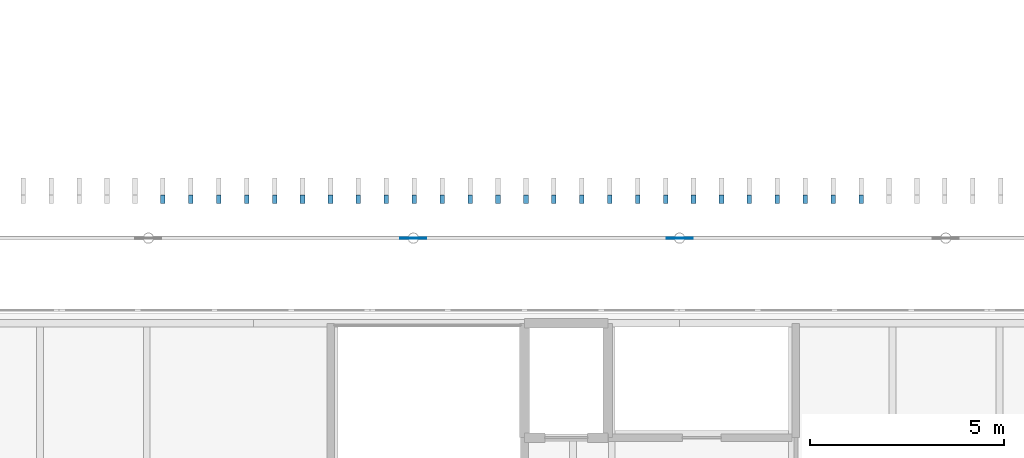
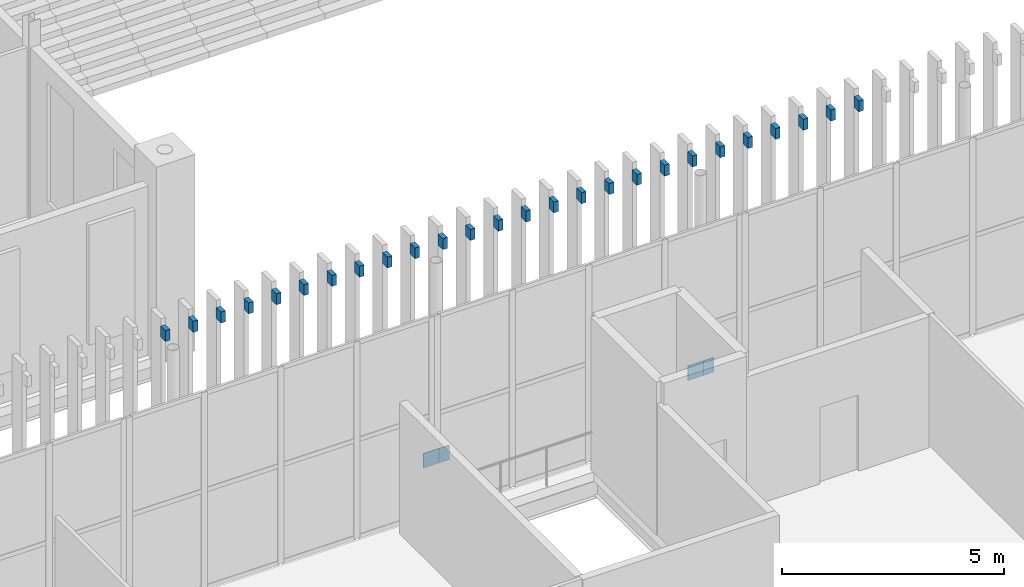
# One storey, part 146 of 170: 30 discrete accessories.
"""IFC4 building model written with IfcOpenShell, lengths in metres."""

from ifc_helpers import new_model, si_unit, direction, frame, origin, origin_2d, place, context, subcontext, project, spatial, rectangle, extrude, material, material_profile, profile_set, type_object, element, save


model = new_model("IFC4")

# Units and contexts
model_context = context("Model", 3, precision=1e-05, world=origin(), true_north=direction((0.0, 1.0)))
body_context = subcontext(model_context, "Body", "Model", "MODEL_VIEW")
ifc_project = project(units=[si_unit("LENGTHUNIT", "METRE"), si_unit("AREAUNIT", "SQUARE_METRE"), si_unit("VOLUMEUNIT", "CUBIC_METRE"), si_unit("PLANEANGLEUNIT", "RADIAN"), si_unit("MASSUNIT", "GRAM", prefix="KILO")], contexts=[model_context])

# Site, building, storey
site_placement = place(None, origin())
site = spatial("IfcSite", under=ifc_project, at=site_placement, CompositionType="ELEMENT")
building_placement = place(site_placement, origin())
building = spatial("IfcBuilding", under=site, at=building_placement, Name="Ravi Spectrum Wholesale Market", CompositionType="ELEMENT")
storey_placement = place(building_placement, frame((0.0, 0.0, 5.39990234375)))
storey = spatial("IfcBuildingStorey", under=building, at=storey_placement, Name="L01", CompositionType="ELEMENT", Elevation=5.39990234375)

# Discrete accessories
ifc_material_1 = material(Name="Steel S355", Category="steel")
discrete_accessory_type_1 = type_object("IfcDiscreteAccessoryType", Name="Fin bracket 120", PredefinedType="BRACKET", material=ifc_material_1)
for number, where, z_axis, x_axis, name in (
    (1, (74.6845703125, 198.199951171875, 4.89990234375), (0.0, 0.0, 1.0), (-1.0, 0.0, 0.0), "Fin bracket B636"),
    (2, (73.9638671875, 198.199951171875, 4.89990234375), (0.0, 0.0, 1.0), (-1.0, 0.0, 0.0), "Fin bracket B637"),
    (3, (73.2431640625, 198.199951171875, 4.89990234375), (0.0, 0.0, 1.0), (-1.0, 0.0, 0.0), "Fin bracket B638"),
    (4, (72.5224609375, 198.199951171875, 4.89990234375), (0.0, 0.0, 1.0), (-1.0, 0.0, 0.0), "Fin bracket B639"),
    (5, (71.8017578125, 198.199951171875, 4.89990234375), (0.0, 0.0, 1.0), (-1.0, 0.0, 0.0), "Fin bracket B640"),
    (6, (71.0810546875, 198.199951171875, 4.89990234375), (0.0, 0.0, 1.0), (-1.0, 0.0, 0.0), "Fin bracket B641"),
    (7, (70.3603515625, 198.199951171875, 4.89990234375), (0.0, 0.0, 1.0), (-1.0, 0.0, 0.0), "Fin bracket B642"),
    (8, (69.6396484375, 198.199951171875, 4.89990234375), (0.0, 0.0, 1.0), (-1.0, 0.0, 0.0), "Fin bracket B643"),
    (9, (68.9189453125, 198.199951171875, 4.89990234375), (0.0, 0.0, 1.0), (-1.0, 0.0, 0.0), "Fin bracket B644"),
    (10, (68.1982421875, 198.199951171875, 4.89990234375), (0.0, 0.0, 1.0), (-1.0, 0.0, 0.0), "Fin bracket B645"),
    (11, (67.4775390625, 198.199951171875, 4.89990234375), (0.0, 0.0, 1.0), (-1.0, 0.0, 0.0), "Fin bracket B646"),
    (12, (66.7568359375, 198.199951171875, 4.89990234375), (0.0, 0.0, 1.0), (-1.0, 0.0, 0.0), "Fin bracket B647"),
    (13, (66.0361328125, 198.199951171875, 4.89990234375), (0.0, 0.0, 1.0), (-1.0, 0.0, 0.0), "Fin bracket B648"),
    (14, (65.3154296875, 198.199951171875, 4.89990234375), (0.0, 0.0, 1.0), (-1.0, 0.0, 0.0), "Fin bracket B649"),
    (15, (64.594482421875, 198.199951171875, 4.89990234375), (0.0, 0.0, 1.0), (-1.0, 0.0, 0.0), "Fin bracket B650"),
    (16, (63.873779296875, 198.199951171875, 4.89990234375), (0.0, 0.0, 1.0), (-1.0, 0.0, 0.0), "Fin bracket B651"),
    (17, (63.153076171875, 198.199951171875, 4.89990234375), (0.0, 0.0, 1.0), (-1.0, 0.0, 0.0), "Fin bracket B652"),
    (18, (62.432373046875, 198.199951171875, 4.89990234375), (0.0, 0.0, 1.0), (-1.0, 0.0, 0.0), "Fin bracket B653"),
    (19, (61.711669921875, 198.199951171875, 4.89990234375), (0.0, 0.0, 1.0), (-1.0, 0.0, 0.0), "Fin bracket B654"),
    (20, (60.990966796875, 198.199951171875, 4.89990234375), (0.0, 0.0, 1.0), (-1.0, 0.0, 0.0), "Fin bracket B655"),
    (21, (60.270263671875, 198.199951171875, 4.89990234375), (0.0, 0.0, 1.0), (-1.0, 0.0, 0.0), "Fin bracket B656"),
    (22, (59.549560546875, 198.199951171875, 4.89990234375), (0.0, 0.0, 1.0), (-1.0, 0.0, 0.0), "Fin bracket B657"),
    (23, (58.828857421875, 198.199951171875, 4.89990234375), (0.0, 0.0, 1.0), (-1.0, 0.0, 0.0), "Fin bracket B658"),
    (24, (58.108154296875, 198.199951171875, 4.89990234375), (0.0, 0.0, 1.0), (-1.0, 0.0, 0.0), "Fin bracket B659"),
    (25, (57.387451171875, 198.199951171875, 4.89990234375), (0.0, 0.0, 1.0), (-1.0, 0.0, 0.0), "Fin bracket B660"),
    (26, (56.666748046875, 198.199951171875, 4.89990234375), (0.0, 0.0, 1.0), (-1.0, 0.0, 0.0), "Fin bracket B661"),
):
    element("IfcDiscreteAccessory", number, at=place(storey_placement, frame(where, z_axis=z_axis, x_axis=x_axis)), inside=storey, type_object=discrete_accessory_type_1, Name=name, PredefinedType="BRACKET", context=body_context, shape_type="SweptSolid", body=[
        extrude(rectangle(XDim=0.1201171875, YDim=0.219970703125, at=origin_2d()), origin(), (0.0, 0.0, 1.0), 0.300048828125),
    ])
ifc_material_2 = material(Name="Steel S355", Category="steel")
ifc_material_profile = material_profile(ifc_material_2, rectangle(XDim=0.39990234375, YDim=0.02001953125, at=origin_2d()))
ifc_profile_set = profile_set([ifc_material_profile], Name="Steel S355")
discrete_accessory_type_2 = type_object("IfcDiscreteAccessoryType", Name="Gusset plate 400x400x20", PredefinedType="BRACKET", material=ifc_profile_set)
for number, where, z_axis, x_axis, name in (
    (27, (62.993896484375, 197.199951171875, -0.199951171875), (0.0, 0.0, 1.0), (1.0, 0.0, 0.0), "Gusset plate"),
    (28, (63.266845703125, 197.199951171875, -0.199951171875), (0.0, 0.0, 1.0), (1.0, 0.0, 0.0), "Gusset plate"),
    (29, (69.863525390625, 197.199951171875, -0.199951171875), (0.0, 0.0, 1.0), (1.0, 0.0, 0.0), "Gusset plate"),
    (30, (70.136474609375, 197.199951171875, -0.199951171875), (0.0, 0.0, 1.0), (1.0, 0.0, 0.0), "Gusset plate"),
):
    element("IfcDiscreteAccessory", number, at=place(storey_placement, frame(where, z_axis=z_axis, x_axis=x_axis)), inside=storey, type_object=discrete_accessory_type_2, Name=name, PredefinedType="BRACKET", context=body_context, shape_type="SweptSolid", body=[
        extrude(rectangle(XDim=0.39990234375, YDim=0.02001953125, at=origin_2d()), origin(), (0.0, 0.0, 1.0), 0.400146484375),
    ])

save(model, "model.ifc")
